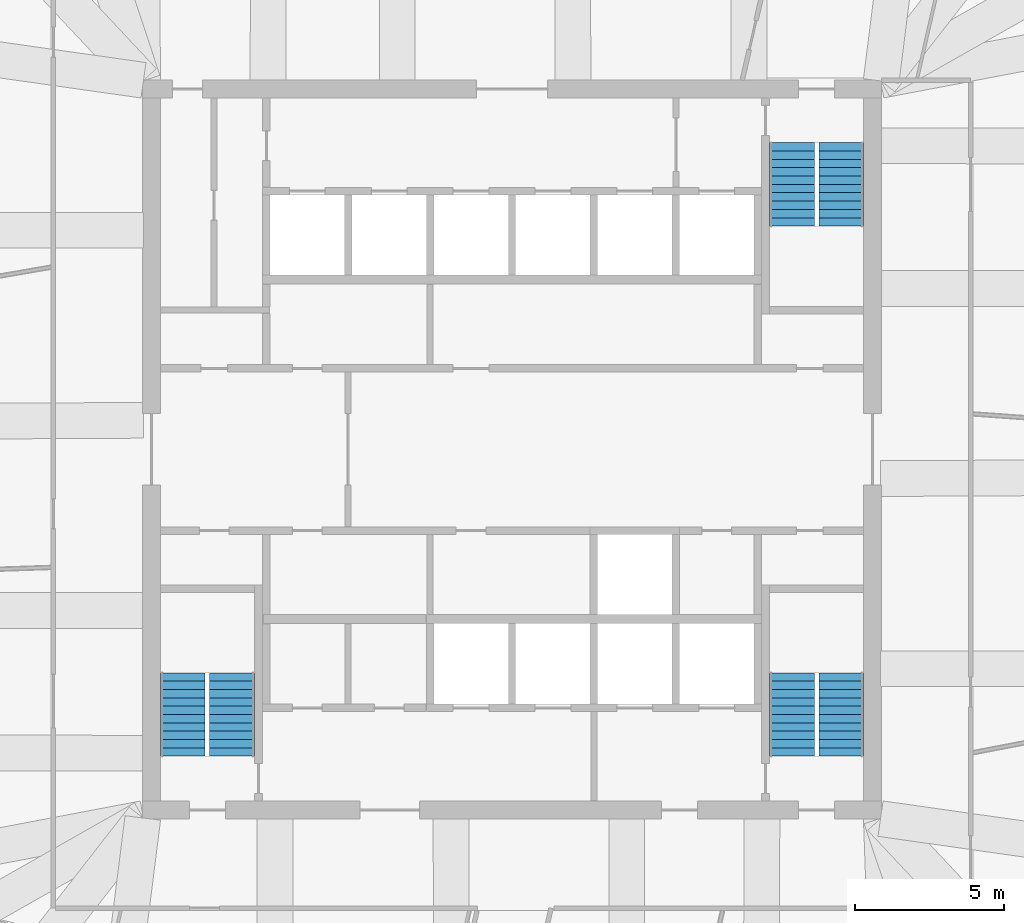
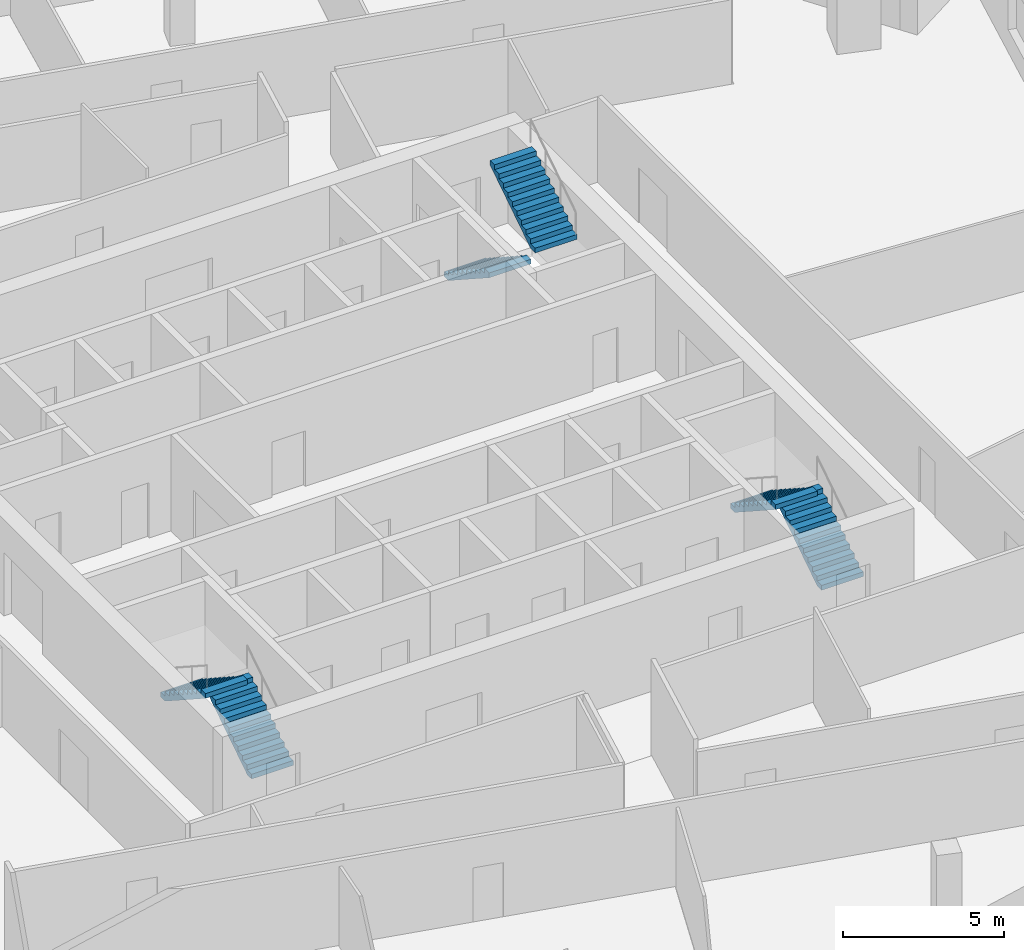
# One storey, part 11 of 14: 6 stair flights, 3 elements without a shape of their own.
"""IFC4 building model written with IfcOpenShell, lengths in metres."""

import ifcopenshell
import ifcopenshell.guid

model = None  # the IFC model being written
_history = None  # IfcOwnerHistory: only IFC2X3 demands one
_inside = {}  # id of a spatial element -> (the spatial element, [elements in it])
_under = {}  # id of a project, library or spatial element -> (it, [spatial elements below it])
_declared = {}  # id of a project -> (the project, [libraries it declares])
_typed = {}  # id of a type object -> (the type object, [elements of that type])
_made_of = {}  # id of a material, layer set ... -> (it, [elements and type objects made of it])


def new_model(schema):
    """Start an empty IFC model of exactly this schema.

    Asked for "IFC4X3", IfcOpenShell would pick the latest addendum, in which some entities
    have other attributes; the version numbers below select the first issue.
    IFC2X3 requires an IfcOwnerHistory on every rooted entity: one is made here for all.
    """
    global model, _history
    if schema == "IFC4X3":
        model = ifcopenshell.file(schema_version=(4, 3, 0, 0))
    else:
        model = ifcopenshell.file(schema=schema)
    _inside.clear()
    _under.clear()
    _declared.clear()
    _typed.clear()
    _made_of.clear()
    _history = None
    if model.schema == "IFC2X3":
        org = make("IfcOrganization", Name="unknown")
        user = make(
            "IfcPersonAndOrganization",
            ThePerson=make("IfcPerson", FamilyName="unknown"),
            TheOrganization=org,
        )
        app = make(
            "IfcApplication",
            ApplicationDeveloper=org,
            Version="unknown",
            ApplicationFullName="unknown",
            ApplicationIdentifier="unknown",
        )
        _history = make(
            "IfcOwnerHistory",
            OwningUser=user,
            OwningApplication=app,
            ChangeAction="ADDED",
            CreationDate=0,
        )
    return model


def make(cls, **values):
    """One entity of the class cls with the attributes given. An attribute that is None is left unset."""
    return model.create_entity(
        cls, **{name: value for name, value in values.items() if value is not None}
    )


def rooted(cls, **values):
    """An entity with a GlobalId (a new one), such as an element, a storey or a relation."""
    return make(cls, GlobalId=ifcopenshell.guid.new(), OwnerHistory=_history, **values)


def si_unit(unit_type, name, prefix=None):
    """IfcSIUnit, for example si_unit("LENGTHUNIT", "METRE", prefix="MILLI")."""
    return make("IfcSIUnit", UnitType=unit_type, Prefix=prefix, Name=name)


def assignment(units):
    """IfcUnitAssignment: the units of a project."""
    return None if units is None else make("IfcUnitAssignment", Units=units)


def point(xyz):
    """IfcCartesianPoint."""
    return None if xyz is None else make("IfcCartesianPoint", Coordinates=xyz)


def direction(xyz):
    """IfcDirection."""
    return None if xyz is None else make("IfcDirection", DirectionRatios=xyz)


def frame(location, z_axis=None, x_axis=None):
    """IfcAxis2Placement3D, a coordinate frame: its origin and axes. An axis left out is left unset."""
    return make(
        "IfcAxis2Placement3D",
        Location=point(location),
        Axis=direction(z_axis),
        RefDirection=direction(x_axis),
    )


def origin():
    """The frame at (0, 0, 0) with its axes left unset."""
    return frame((0.0, 0.0, 0.0))


def place(relative_to, where):
    """IfcLocalPlacement: puts the frame where relative to a parent placement (None: the world)."""
    return make(
        "IfcLocalPlacement", PlacementRelTo=relative_to, RelativePlacement=where
    )


def context(
    kind, dimensions, precision=None, world=None, true_north=None, identifier=None
):
    """IfcGeometricRepresentationContext, for example the 3D "Model" context."""
    return make(
        "IfcGeometricRepresentationContext",
        ContextIdentifier=identifier,
        ContextType=kind,
        CoordinateSpaceDimension=dimensions,
        Precision=precision,
        WorldCoordinateSystem=world,
        TrueNorth=true_north,
    )


def subcontext(parent, identifier, kind, view, scale=None):
    """IfcGeometricRepresentationSubContext, for example "Body" below "Model"."""
    return make(
        "IfcGeometricRepresentationSubContext",
        ContextIdentifier=identifier,
        ContextType=kind,
        ParentContext=parent,
        TargetScale=scale,
        TargetView=view,
    )


def project(units=None, contexts=None):
    """IfcProject with its units and contexts."""
    return rooted(
        "IfcProject",
        Name="project",
        RepresentationContexts=contexts,
        UnitsInContext=assignment(units),
    )


def spatial(cls, under=None, at=None, **own):
    """A site, building, storey or space (cls), placed at a placement, below another one or the project."""
    s = rooted(cls, ObjectPlacement=at, **own)
    if under is not None:
        _under.setdefault(under.id(), (under, []))[1].append(s)
    return s


def polyline(points):
    """IfcPolyline through the points."""
    return make("IfcPolyline", Points=[point(p) for p in points])


def outline(outer, holes=None, kind="AREA"):
    """IfcArbitraryClosedProfileDef: a profile drawn as a closed curve; with holes, ...WithVoids."""
    if holes is None:
        return make("IfcArbitraryClosedProfileDef", ProfileType=kind, OuterCurve=outer)
    return make(
        "IfcArbitraryProfileDefWithVoids",
        ProfileType=kind,
        OuterCurve=outer,
        InnerCurves=holes,
    )


def extrude(swept, where, along, depth):
    """IfcExtrudedAreaSolid: the profile swept, set in the frame where, extruded along a direction by depth."""
    return make(
        "IfcExtrudedAreaSolid",
        SweptArea=swept,
        Position=where,
        ExtrudedDirection=direction(along),
        Depth=depth,
    )


def shape(context_of_items, identifier, shape_type, items):
    """IfcShapeRepresentation: the items that make up one representation, for example the "Body"."""
    return make(
        "IfcShapeRepresentation",
        ContextOfItems=context_of_items,
        RepresentationIdentifier=identifier,
        RepresentationType=shape_type,
        Items=items,
    )


def material(Name=None, Category=None):
    """IfcMaterial."""
    return make("IfcMaterial", Name=Name, Category=Category)


def made_of(thing, what):
    """Note that an element or type object is made of a material, layer set ...; save() writes the relation."""
    if what is not None:
        _made_of.setdefault(what.id(), (what, []))[1].append(thing)
    return thing


def type_object(cls, material=None, **own):
    """A type object (cls), such as IfcWallType, which elements share."""
    return made_of(rooted(cls, **own), material)


def element(
    cls,
    number,
    at=None,
    inside=None,
    cuts=None,
    type_object=None,
    material=None,
    context=None,
    identifier="Body",
    shape_type=None,
    held_by="IfcProductDefinitionShape",
    body=None,
    shapes=None,
    **own,
):
    """One element of the class cls, such as IfcWall. Its Tag is "e" and its number.

    at: its placement. inside: the storey or other place that contains it. cuts: it is an
    opening in that element (IfcRelVoidsElement). A single representation is given by context,
    identifier, shape_type and body (its items); several are given by shapes. held_by: the class
    of the entity that holds the representations. save() writes the other relations.
    """
    e = rooted(cls, Tag="e%d" % number, ObjectPlacement=at, **own)
    if body is not None:
        shapes = [shape(context, identifier, shape_type, body)]
    if shapes is not None:
        e.Representation = make(held_by, Representations=shapes)
    if inside is not None:
        _inside.setdefault(inside.id(), (inside, []))[1].append(e)
    if cuts is not None:
        rooted(
            "IfcRelVoidsElement", RelatingBuildingElement=cuts, RelatedOpeningElement=e
        )
    if type_object is not None:
        _typed.setdefault(type_object.id(), (type_object, []))[1].append(e)
    return made_of(e, material)


def aggregate(whole, parts):
    """IfcRelAggregates: a whole, such as a stair, and the parts it consists of."""
    return rooted("IfcRelAggregates", RelatingObject=whole, RelatedObjects=parts)


def save(model, path):
    """Write the relations noted so far, then the file.

    IfcRelAggregates (storeys below a building ...), IfcRelContainedInSpatialStructure (elements
    in a storey), IfcRelDefinesByType, IfcRelAssociatesMaterial and IfcRelDeclares: one each for
    every whole, place, type object, material and project.
    """
    for whole, parts in _under.values():
        aggregate(whole, parts)
    for where, things in _inside.values():
        rooted(
            "IfcRelContainedInSpatialStructure",
            RelatedElements=things,
            RelatingStructure=where,
        )
    for kind, things in _typed.values():
        rooted("IfcRelDefinesByType", RelatedObjects=things, RelatingType=kind)
    for what, things in _made_of.values():
        rooted("IfcRelAssociatesMaterial", RelatedObjects=things, RelatingMaterial=what)
    for by, libraries in _declared.values():
        rooted("IfcRelDeclares", RelatingContext=by, RelatedDefinitions=libraries)
    model.write(path)


model = new_model("IFC4")

# Units and contexts
model_context = context("Model", 3, precision=1e-05, world=origin(), true_north=direction((0.0, 1.0)))
body_context = subcontext(model_context, "Body", "Model", "MODEL_VIEW")
ifc_project = project(units=[si_unit("LENGTHUNIT", "METRE"), si_unit("AREAUNIT", "SQUARE_METRE"), si_unit("VOLUMEUNIT", "CUBIC_METRE"), si_unit("PLANEANGLEUNIT", "RADIAN"), si_unit("MASSUNIT", "GRAM", prefix="KILO")], contexts=[model_context])

# Site, building, storey
site_placement = place(None, origin())
site = spatial("IfcSite", under=ifc_project, at=site_placement, CompositionType="ELEMENT")
building_placement = place(site_placement, origin())
building = spatial("IfcBuilding", under=site, at=building_placement, Name="Dilmun Exchange Tower", CompositionType="ELEMENT")
storey_placement = place(building_placement, frame((0.0, 0.0, 340.5)))
storey = spatial("IfcBuildingStorey", under=building, at=storey_placement, Name="L81", CompositionType="ELEMENT", Elevation=340.5)

# Stair, stair flights
ifc_material = material(Name="Concrete C40/50", Category="concrete")
stair_type = type_object("IfcStairType", Name="Exit stair 1500 half-turn", PredefinedType="HALF_TURN_STAIR", material=ifc_material)
stair_1_placement = place(storey_placement, origin())
stair_1 = element("IfcStair", 1, at=stair_1_placement, inside=storey, type_object=stair_type, Name="L81 Protected exit stair ST1", PredefinedType="HALF_TURN_STAIR")
stair_flight_type = type_object("IfcStairFlightType", Name="Exit stair flight 1500", PredefinedType="STRAIGHT", material=ifc_material)
stair_flight_1_placement = place(storey_placement, frame((9.39990234375, 10.300048828125, 0.0), z_axis=(0.0, 0.0, 1.0), x_axis=(0.0, -1.0, 0.0)))
stair_flight_1 = element("IfcStairFlight", 2, at=stair_flight_1_placement, type_object=stair_flight_type, Name="ST1 flight 1", NumberOfRisers=11, NumberOfTreads=10, PredefinedType="STRAIGHT", RiserHeight=0.181818182, TreadLength=0.28, context=body_context, shape_type="SweptSolid", body=[
    extrude(outline(polyline([(0.0, 0.0), (0.0, 0.181884765625), (0.280029296875, 0.181884765625), (0.280029296875, 0.363525390625), (0.56005859375, 0.363525390625), (0.56005859375, 0.54541015625), (0.840087890625, 0.54541015625), (0.840087890625, 0.727294921875), (1.1201171875, 0.727294921875), (1.1201171875, 0.9091796875), (1.39990234375, 0.9091796875), (1.39990234375, 1.0908203125), (1.679931640625, 1.0908203125), (1.679931640625, 1.272705078125), (1.9599609375, 1.272705078125), (1.9599609375, 1.45458984375), (2.239990234375, 1.45458984375), (2.239990234375, 1.636474609375), (2.52001953125, 1.636474609375), (2.52001953125, 1.818115234375), (2.800048828125, 1.818115234375), (2.800048828125, 2.0), (2.800048828125, 1.639404296875), (0.275146484375, 0.0), (0.0, 0.0)])), frame((0.0, 0.75, 0.0), z_axis=(0.0, -1.0, 0.0), x_axis=(1.0, 0.0, 0.0)), (0.0, 0.0, 1.0), 1.5),
])
stair_flight_2_placement = place(storey_placement, frame((11.050048828125, 7.5, 2.0), z_axis=(0.0, 0.0, 1.0), x_axis=(0.0, 1.0, 0.0)))
stair_flight_2 = element("IfcStairFlight", 3, at=stair_flight_2_placement, type_object=stair_flight_type, Name="ST1 flight 2", NumberOfRisers=11, NumberOfTreads=10, PredefinedType="STRAIGHT", RiserHeight=0.181818182, TreadLength=0.28, context=body_context, shape_type="SweptSolid", body=[
    extrude(outline(polyline([(0.0, 0.0), (0.0, 0.181884765625), (0.280029296875, 0.181884765625), (0.280029296875, 0.363525390625), (0.56005859375, 0.363525390625), (0.56005859375, 0.54541015625), (0.840087890625, 0.54541015625), (0.840087890625, 0.727294921875), (1.1201171875, 0.727294921875), (1.1201171875, 0.9091796875), (1.39990234375, 0.9091796875), (1.39990234375, 1.0908203125), (1.679931640625, 1.0908203125), (1.679931640625, 1.272705078125), (1.9599609375, 1.272705078125), (1.9599609375, 1.45458984375), (2.239990234375, 1.45458984375), (2.239990234375, 1.636474609375), (2.52001953125, 1.636474609375), (2.52001953125, 1.818115234375), (2.800048828125, 1.818115234375), (2.800048828125, 2.0), (2.800048828125, 1.639404296875), (0.275146484375, 0.0), (0.0, 0.0)])), frame((0.0, 0.75, 0.0), z_axis=(0.0, -1.0, 0.0), x_axis=(1.0, 0.0, 0.0)), (0.0, 0.0, 1.0), 1.5),
])
aggregate(stair_1, [stair_flight_1, stair_flight_2])

stair_2_placement = place(storey_placement, origin())
stair_2 = element("IfcStair", 4, at=stair_2_placement, inside=storey, type_object=stair_type, Name="L81 Protected exit stair ST2", PredefinedType="HALF_TURN_STAIR")
stair_flight_3_placement = place(storey_placement, frame((-9.39990234375, -10.300048828125, 0.0), z_axis=(0.0, 0.0, 1.0), x_axis=(0.0, 1.0, 0.0)))
stair_flight_3 = element("IfcStairFlight", 5, at=stair_flight_3_placement, type_object=stair_flight_type, Name="ST2 flight 1", NumberOfRisers=11, NumberOfTreads=10, PredefinedType="STRAIGHT", RiserHeight=0.181818182, TreadLength=0.28, context=body_context, shape_type="SweptSolid", body=[
    extrude(outline(polyline([(0.0, 0.0), (0.0, 0.181884765625), (0.280029296875, 0.181884765625), (0.280029296875, 0.363525390625), (0.56005859375, 0.363525390625), (0.56005859375, 0.54541015625), (0.840087890625, 0.54541015625), (0.840087890625, 0.727294921875), (1.1201171875, 0.727294921875), (1.1201171875, 0.9091796875), (1.39990234375, 0.9091796875), (1.39990234375, 1.0908203125), (1.679931640625, 1.0908203125), (1.679931640625, 1.272705078125), (1.9599609375, 1.272705078125), (1.9599609375, 1.45458984375), (2.239990234375, 1.45458984375), (2.239990234375, 1.636474609375), (2.52001953125, 1.636474609375), (2.52001953125, 1.818115234375), (2.800048828125, 1.818115234375), (2.800048828125, 2.0), (2.800048828125, 1.639404296875), (0.275146484375, 0.0), (0.0, 0.0)])), frame((0.0, 0.75, 0.0), z_axis=(0.0, -1.0, 0.0), x_axis=(1.0, 0.0, 0.0)), (0.0, 0.0, 1.0), 1.5),
])
stair_flight_4_placement = place(storey_placement, frame((-11.050048828125, -7.5, 2.0), z_axis=(0.0, 0.0, 1.0), x_axis=(0.0, -1.0, 0.0)))
stair_flight_4 = element("IfcStairFlight", 6, at=stair_flight_4_placement, type_object=stair_flight_type, Name="ST2 flight 2", NumberOfRisers=11, NumberOfTreads=10, PredefinedType="STRAIGHT", RiserHeight=0.181818182, TreadLength=0.28, context=body_context, shape_type="SweptSolid", body=[
    extrude(outline(polyline([(0.0, 0.0), (0.0, 0.181884765625), (0.280029296875, 0.181884765625), (0.280029296875, 0.363525390625), (0.56005859375, 0.363525390625), (0.56005859375, 0.54541015625), (0.840087890625, 0.54541015625), (0.840087890625, 0.727294921875), (1.1201171875, 0.727294921875), (1.1201171875, 0.9091796875), (1.39990234375, 0.9091796875), (1.39990234375, 1.0908203125), (1.679931640625, 1.0908203125), (1.679931640625, 1.272705078125), (1.9599609375, 1.272705078125), (1.9599609375, 1.45458984375), (2.239990234375, 1.45458984375), (2.239990234375, 1.636474609375), (2.52001953125, 1.636474609375), (2.52001953125, 1.818115234375), (2.800048828125, 1.818115234375), (2.800048828125, 2.0), (2.800048828125, 1.639404296875), (0.275146484375, 0.0), (0.0, 0.0)])), frame((0.0, 0.75, 0.0), z_axis=(0.0, -1.0, 0.0), x_axis=(1.0, 0.0, 0.0)), (0.0, 0.0, 1.0), 1.5),
])
aggregate(stair_2, [stair_flight_3, stair_flight_4])

stair_3_placement = place(storey_placement, origin())
stair_3 = element("IfcStair", 7, at=stair_3_placement, inside=storey, type_object=stair_type, Name="L81 Protected exit stair ST3", PredefinedType="HALF_TURN_STAIR")
stair_flight_5_placement = place(storey_placement, frame((11.050048828125, -10.300048828125, 0.0), z_axis=(0.0, 0.0, 1.0), x_axis=(0.0, 1.0, 0.0)))
stair_flight_5 = element("IfcStairFlight", 8, at=stair_flight_5_placement, type_object=stair_flight_type, Name="ST3 flight 1", NumberOfRisers=11, NumberOfTreads=10, PredefinedType="STRAIGHT", RiserHeight=0.181818182, TreadLength=0.28, context=body_context, shape_type="SweptSolid", body=[
    extrude(outline(polyline([(0.0, 0.0), (0.0, 0.181884765625), (0.280029296875, 0.181884765625), (0.280029296875, 0.363525390625), (0.56005859375, 0.363525390625), (0.56005859375, 0.54541015625), (0.840087890625, 0.54541015625), (0.840087890625, 0.727294921875), (1.1201171875, 0.727294921875), (1.1201171875, 0.9091796875), (1.39990234375, 0.9091796875), (1.39990234375, 1.0908203125), (1.679931640625, 1.0908203125), (1.679931640625, 1.272705078125), (1.9599609375, 1.272705078125), (1.9599609375, 1.45458984375), (2.239990234375, 1.45458984375), (2.239990234375, 1.636474609375), (2.52001953125, 1.636474609375), (2.52001953125, 1.818115234375), (2.800048828125, 1.818115234375), (2.800048828125, 2.0), (2.800048828125, 1.639404296875), (0.275146484375, 0.0), (0.0, 0.0)])), frame((0.0, 0.75, 0.0), z_axis=(0.0, -1.0, 0.0), x_axis=(1.0, 0.0, 0.0)), (0.0, 0.0, 1.0), 1.5),
])
stair_flight_6_placement = place(storey_placement, frame((9.39990234375, -7.5, 2.0), z_axis=(0.0, 0.0, 1.0), x_axis=(0.0, -1.0, 0.0)))
stair_flight_6 = element("IfcStairFlight", 9, at=stair_flight_6_placement, type_object=stair_flight_type, Name="ST3 flight 2", NumberOfRisers=11, NumberOfTreads=10, PredefinedType="STRAIGHT", RiserHeight=0.181818182, TreadLength=0.28, context=body_context, shape_type="SweptSolid", body=[
    extrude(outline(polyline([(0.0, 0.0), (0.0, 0.181884765625), (0.280029296875, 0.181884765625), (0.280029296875, 0.363525390625), (0.56005859375, 0.363525390625), (0.56005859375, 0.54541015625), (0.840087890625, 0.54541015625), (0.840087890625, 0.727294921875), (1.1201171875, 0.727294921875), (1.1201171875, 0.9091796875), (1.39990234375, 0.9091796875), (1.39990234375, 1.0908203125), (1.679931640625, 1.0908203125), (1.679931640625, 1.272705078125), (1.9599609375, 1.272705078125), (1.9599609375, 1.45458984375), (2.239990234375, 1.45458984375), (2.239990234375, 1.636474609375), (2.52001953125, 1.636474609375), (2.52001953125, 1.818115234375), (2.800048828125, 1.818115234375), (2.800048828125, 2.0), (2.800048828125, 1.639404296875), (0.275146484375, 0.0), (0.0, 0.0)])), frame((0.0, 0.75, 0.0), z_axis=(0.0, -1.0, 0.0), x_axis=(1.0, 0.0, 0.0)), (0.0, 0.0, 1.0), 1.5),
])
aggregate(stair_3, [stair_flight_5, stair_flight_6])

save(model, "model.ifc")
